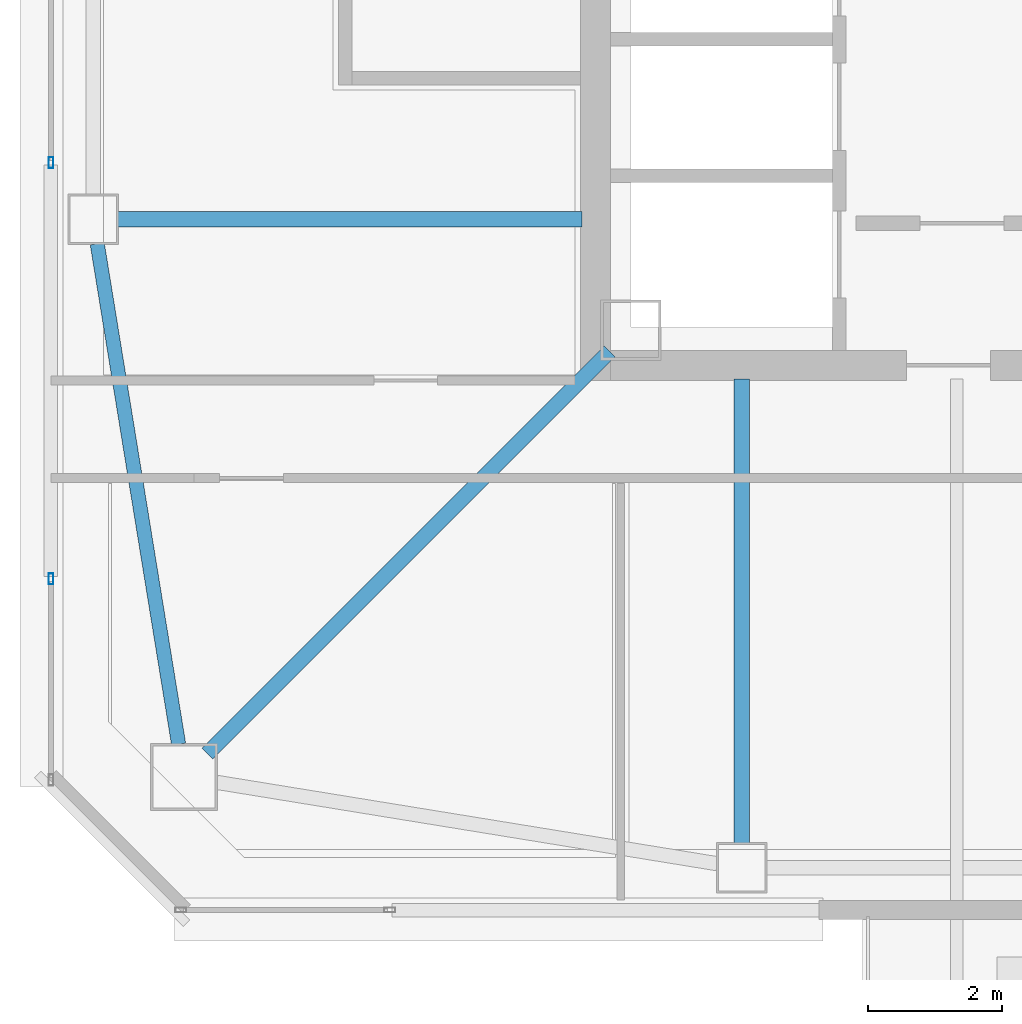
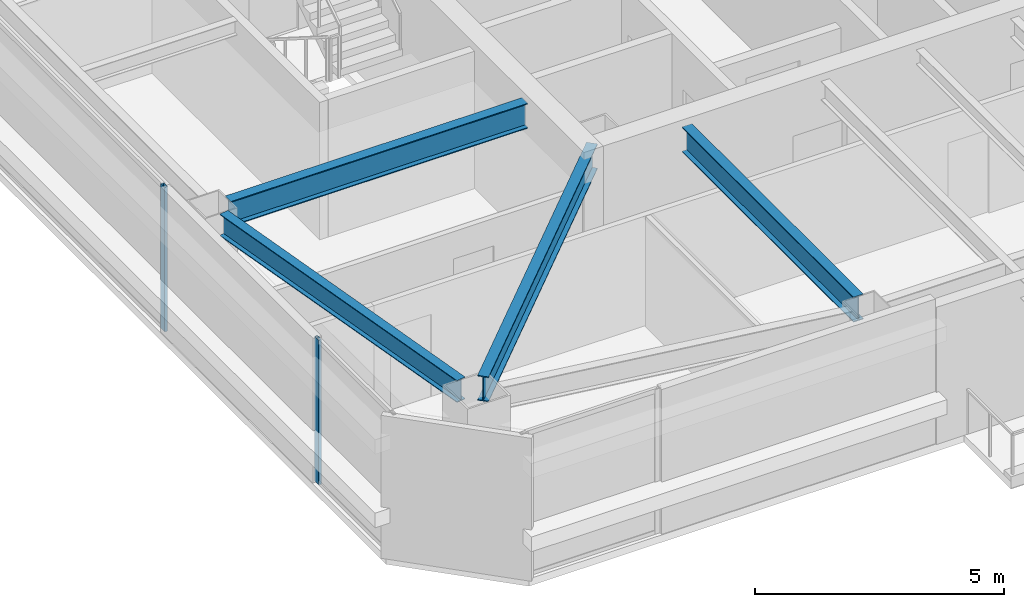
# One storey, part 5 of 36: 4 beams, 2 members, 2 elements without a shape of their own.
"""IFC4 building model written with IfcOpenShell, lengths in metres."""

from ifc_helpers import new_model, si_unit, direction, frame, origin, origin_2d, place, context, subcontext, project, spatial, hollow_rectangle, i_section, extrude, material, material_profile, profile_set, type_object, element, aggregate, save


model = new_model("IFC4")

# Units and contexts
model_context = context("Model", 3, precision=1e-05, world=origin(), true_north=direction((0.0, 1.0)))
body_context = subcontext(model_context, "Body", "Model", "MODEL_VIEW")
ifc_project = project(units=[si_unit("LENGTHUNIT", "METRE"), si_unit("AREAUNIT", "SQUARE_METRE"), si_unit("VOLUMEUNIT", "CUBIC_METRE"), si_unit("PLANEANGLEUNIT", "RADIAN"), si_unit("MASSUNIT", "GRAM", prefix="KILO")], contexts=[model_context])

# Site, building, storey
site_placement = place(None, origin())
site = spatial("IfcSite", under=ifc_project, at=site_placement, CompositionType="ELEMENT")
building_placement = place(site_placement, origin())
building = spatial("IfcBuilding", under=site, at=building_placement, Name="Tashvorn Skyway Center", CompositionType="ELEMENT")
storey_placement = place(building_placement, frame((0.0, 0.0, 236.14990234375)))
storey = spatial("IfcBuildingStorey", under=building, at=storey_placement, Name="L64", CompositionType="ELEMENT", Elevation=236.14990234375)

# Beams
ifc_material_1 = material(Name="Steel ASTM A992 Grade 50", Category="steel")
ifc_material_profile_1 = material_profile(ifc_material_1, i_section(OverallWidth=0.22998046875, OverallDepth=0.616943359375, WebThickness=0.01318359375, FlangeThickness=0.022216796875, at=origin_2d()), Name="W24X94")
ifc_profile_set_1 = profile_set([ifc_material_profile_1], Name="Steel ASTM A992 Grade 50")
beam_type_1 = type_object("IfcBeamType", Name="BM-BEAM-W24X94", PredefinedType="BEAM", material=ifc_profile_set_1)
beam_1_placement = place(storey_placement, frame((28.64990234375, 18.64990234375, 3.0615234375), z_axis=(0.707106781187, 0.707106781187, 0.0), x_axis=(-0.707106781187, 0.707106781187, 0.0)))
element("IfcBeam", 1, at=beam_1_placement, inside=storey, type_object=beam_type_1, Name="Tower 1 L64 Primary Floor Girder MC-SW", PredefinedType="BEAM", context=body_context, shape_type="SweptSolid", body=[
    extrude(i_section(OverallWidth=0.22998046875, OverallDepth=0.616943359375, WebThickness=0.01318359375, FlangeThickness=0.022216796875, at=origin_2d()), origin(), (0.0, 0.0, 1.0), 8.464599609375),
])
for number, where, z_axis, x_axis, name in (
    (2, (36.60009765625, 17.320068359375, 3.0615234375), (0.0, 1.0, 0.0), (-1.0, 0.0, 0.0), "Tower 1 L64 Primary Floor Girder FC-S1"),
    (3, (27.320068359375, 26.60009765625, 3.0615234375), (1.0, 0.0, 0.0), (0.0, 1.0, 0.0), "Tower 1 L64 Primary Floor Girder FC-W2"),
):
    element("IfcBeam", number, at=place(storey_placement, frame(where, z_axis=z_axis, x_axis=x_axis)), inside=storey, type_object=beam_type_1, Name=name, PredefinedType="BEAM", context=body_context, shape_type="SweptSolid", body=[
        extrude(i_section(OverallWidth=0.22998046875, OverallDepth=0.616943359375, WebThickness=0.01318359375, FlangeThickness=0.022216796875, at=origin_2d()), origin(), (0.0, 0.0, 1.0), 6.89990234375),
    ])
ifc_material_profile_2 = material_profile(ifc_material_1, i_section(OverallWidth=0.2109375, OverallDepth=0.5390625, WebThickness=0.01171875, FlangeThickness=0.018798828125, at=origin_2d()), Name="W21X73")
ifc_profile_set_2 = profile_set([ifc_material_profile_2], Name="Steel ASTM A992 Grade 50")
beam_type_2 = type_object("IfcBeamType", Name="BM-SPANDREL-W21X73", PredefinedType="SPANDREL", material=ifc_profile_set_2)
beam_2_placement = place(storey_placement, frame((27.009521484375, 26.23486328125, 3.1005859375), z_axis=(0.160514302677, -0.987033514444, 0.0), x_axis=(0.987033514444, 0.160514302677, 0.0)))
element("IfcBeam", 4, at=beam_2_placement, inside=storey, type_object=beam_type_2, Name="Tower 1 L64 Spandrel Beam 12", PredefinedType="SPANDREL", context=body_context, shape_type="SweptSolid", body=[
    extrude(i_section(OverallWidth=0.2109375, OverallDepth=0.5390625, WebThickness=0.01171875, FlangeThickness=0.018798828125, at=origin_2d()), origin(), (0.0, 0.0, 1.0), 7.544189453125),
])

# Curtain wall, member
ifc_material_2 = material(Name="Thermally broken bronze-anodized aluminium 6063-T6", Category="aluminium")
curtain_wall_type = type_object("IfcCurtainWallType", Name="CW-CW-Z5", PredefinedType="NOTDEFINED", material=ifc_material_2)
curtain_wall_1_placement = place(storey_placement, origin())
curtain_wall_1 = element("IfcCurtainWall", 5, at=curtain_wall_1_placement, inside=storey, type_object=curtain_wall_type, Name="Tower 1 L64 West Unitised Curtain Wall Glazing Group 1", PredefinedType="NOTDEFINED")
ifc_material_profile_3 = material_profile(ifc_material_2, hollow_rectangle(XDim=0.070068359375, YDim=0.1650390625, WallThickness=0.00390625, at=origin_2d()), Name="ALU-MULL-70x165")
ifc_profile_set_3 = profile_set([ifc_material_profile_3], Name="Thermally broken bronze-anodized aluminium 6063-T6")
member_type = type_object("IfcMemberType", Name="CWM-CW-Z5", PredefinedType="MULLION", material=ifc_profile_set_3)
member_1_placement = place(storey_placement, frame((26.320068359375, 21.247314453125, 0.0), z_axis=(0.0, 0.0, 1.0), x_axis=(-1.0, 0.0, 0.0)))
member_1 = element("IfcMember", 6, at=member_1_placement, type_object=member_type, Name="CW-Z5 mullion 2", PredefinedType="MULLION", context=body_context, shape_type="SweptSolid", body=[
    extrude(hollow_rectangle(XDim=0.070068359375, YDim=0.1650390625, WallThickness=0.00390625, at=origin_2d()), origin(), (0.0, 0.0, 1.0), 3.550048828125),
])
aggregate(curtain_wall_1, [member_1])

curtain_wall_2_placement = place(storey_placement, origin())
curtain_wall_2 = element("IfcCurtainWall", 7, at=curtain_wall_2_placement, inside=storey, type_object=curtain_wall_type, Name="Tower 1 L64 West Unitised Curtain Wall Glazing Group 2", PredefinedType="NOTDEFINED")
member_2_placement = place(storey_placement, frame((26.320068359375, 27.441650390625, 0.0), z_axis=(0.0, 0.0, 1.0), x_axis=(-1.0, 0.0, 0.0)))
member_2 = element("IfcMember", 8, at=member_2_placement, type_object=member_type, Name="CW-Z5 mullion 1", PredefinedType="MULLION", context=body_context, shape_type="SweptSolid", body=[
    extrude(hollow_rectangle(XDim=0.070068359375, YDim=0.1650390625, WallThickness=0.00390625, at=origin_2d()), origin(), (0.0, 0.0, 1.0), 3.550048828125),
])
aggregate(curtain_wall_2, [member_2])

save(model, "model.ifc")
